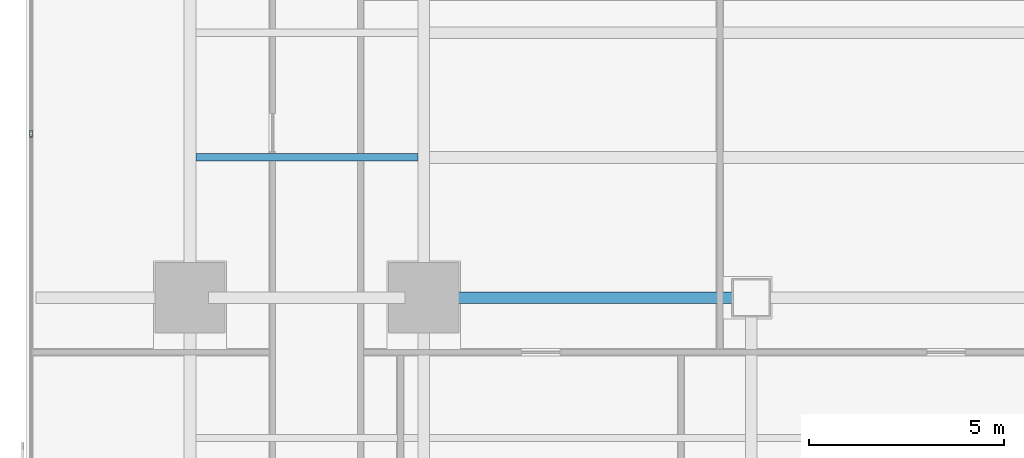
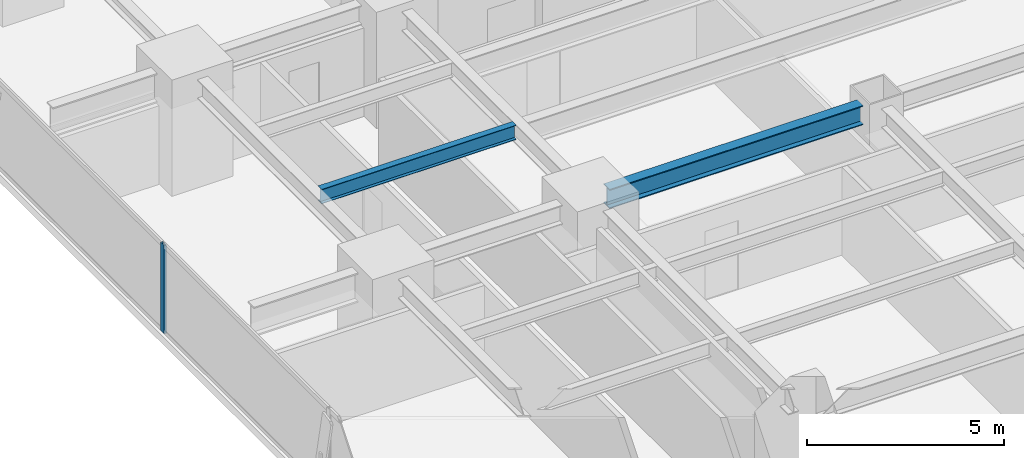
# One storey, part 9 of 32: 2 beams, 1 member, 1 element without a shape of its own.
"""IFC4 building model written with IfcOpenShell, lengths in metres."""

from ifc_helpers import new_model, si_unit, direction, frame, origin, origin_2d, place, context, subcontext, project, spatial, hollow_rectangle, i_section, extrude, source, transform, mapped, material, layer, layer_set, material_profile, profile_set, type_object, element, aggregate, save


model = new_model("IFC4")

# Units and contexts
model_context = context("Model", 3, precision=1e-05, world=origin(), true_north=direction((0.0, 1.0)))
body_context = subcontext(model_context, "Body", "Model", "MODEL_VIEW")
ifc_project = project(units=[si_unit("LENGTHUNIT", "METRE"), si_unit("AREAUNIT", "SQUARE_METRE"), si_unit("VOLUMEUNIT", "CUBIC_METRE"), si_unit("PLANEANGLEUNIT", "RADIAN"), si_unit("MASSUNIT", "GRAM", prefix="KILO")], contexts=[model_context])

# Site, building, storey
site_placement = place(None, origin())
site = spatial("IfcSite", under=ifc_project, at=site_placement, CompositionType="ELEMENT")
building_placement = place(site_placement, origin())
building = spatial("IfcBuilding", under=site, at=building_placement, Name="Sumidabori Civic Tower", CompositionType="ELEMENT")
storey_placement = place(building_placement, frame((0.0, 0.0, 45.199951171875)))
storey = spatial("IfcBuildingStorey", under=building, at=storey_placement, Name="L11", CompositionType="ELEMENT", Elevation=45.199951171875)

# Beams
ifc_material_1 = material(Name="Steel SN490", Category="steel")
ifc_material_profile_1 = material_profile(ifc_material_1, i_section(OverallWidth=0.300048828125, OverallDepth=0.60009765625, WebThickness=0.015380859375, FlangeThickness=0.030029296875, at=origin_2d()), Name="HE 600 B")
ifc_profile_set_1 = profile_set([ifc_material_profile_1], Name="Steel SN490")
beam_type_1 = type_object("IfcBeamType", Name="BM-GIRD-600", PredefinedType="BEAM", material=ifc_profile_set_1)
shared_shape_1 = source(origin(), body_context, "Body", "SweptSolid", [
    extrude(i_section(OverallWidth=0.300048828125, OverallDepth=0.60009765625, WebThickness=0.015380859375, FlangeThickness=0.030029296875, at=origin_2d()), origin(), (0.0, 0.0, 1.0), 7.440185546875),
])
beam_1_placement = place(storey_placement, frame((-16.320068359375, 0.0, 3.06005859375), z_axis=(1.0, 0.0, 0.0), x_axis=(0.0, 1.0, 0.0)))
element("IfcBeam", 1, at=beam_1_placement, inside=storey, type_object=beam_type_1, Name="Primary Girder L11 GX-14", PredefinedType="BEAM", context=body_context, shape_type="MappedRepresentation", body=[
    mapped(shared_shape_1, transform((0.0, 0.0, 0.0), x_axis=(1.0, 0.0, 0.0), y_axis=(0.0, 1.0, 0.0), z_axis=(0.0, 0.0, 1.0), scale=1.0)),
])
ifc_material_profile_2 = material_profile(ifc_material_1, i_section(OverallWidth=0.18994140625, OverallDepth=0.449951171875, WebThickness=0.009521484375, FlangeThickness=0.0146484375, at=origin_2d()), Name="IPE 450")
ifc_profile_set_2 = profile_set([ifc_material_profile_2], Name="Steel SN490")
beam_type_2 = type_object("IfcBeamType", Name="BM-JST-450", PredefinedType="JOIST", material=ifc_profile_set_2)
shared_shape_2 = source(origin(), body_context, "Body", "SweptSolid", [
    extrude(i_section(OverallWidth=0.18994140625, OverallDepth=0.449951171875, WebThickness=0.009521484375, FlangeThickness=0.0146484375, at=origin_2d()), origin(), (0.0, 0.0, 1.0), 5.699951171875),
])
beam_2_placement = place(storey_placement, frame((-22.64990234375, 3.60009765625, 3.135009765625), z_axis=(1.0, 0.0, 0.0), x_axis=(0.0, 1.0, 0.0)))
element("IfcBeam", 2, at=beam_2_placement, inside=storey, type_object=beam_type_2, Name="Outer Bay Floor Joist L11 JSTO-53", PredefinedType="JOIST", context=body_context, shape_type="MappedRepresentation", body=[
    mapped(shared_shape_2, transform((0.0, 0.0, 0.0), x_axis=(1.0, 0.0, 0.0), y_axis=(0.0, 1.0, 0.0), z_axis=(0.0, 0.0, 1.0), scale=1.0)),
])

# Curtain wall, member
ifc_material_2 = material(Name="Anodised Bronze Aluminium AW-6063-T6", Category="aluminium")
ifc_layer = layer(ifc_material_2, 0.179931640625, Name="Anodised Bronze Aluminium AW-6063-T6")
ifc_layer_set = layer_set([ifc_layer], Name="Anodised Bronze Aluminium AW-6063-T6")
curtain_wall_type = type_object("IfcCurtainWallType", Name="CW-SYS-2", PredefinedType="NOTDEFINED", material=ifc_layer_set)
curtain_wall_placement = place(storey_placement, origin())
curtain_wall = element("IfcCurtainWall", 3, at=curtain_wall_placement, inside=storey, type_object=curtain_wall_type, Name="Curtain Wall CW:L11:R10", PredefinedType="NOTDEFINED")
ifc_material_profile_3 = material_profile(ifc_material_2, hollow_rectangle(XDim=0.070068359375, YDim=0.179931640625, WallThickness=0.006103515625, at=origin_2d()), Name="ALU MULLION 180x70")
ifc_profile_set_3 = profile_set([ifc_material_profile_3], Name="Anodised Bronze Aluminium AW-6063-T6")
member_type = type_object("IfcMemberType", Name="CW-MUL-180", PredefinedType="MULLION", material=ifc_profile_set_3)
shared_shape_3 = source(origin(), body_context, "Body", "SweptSolid", [
    extrude(hollow_rectangle(XDim=0.070068359375, YDim=0.179931640625, WallThickness=0.006103515625, at=origin_2d()), origin(), (0.0, 0.0, 1.0), 2.739990234375),
])
member_placement = place(storey_placement, frame((-26.8798828125, 4.214111328125, 0.0), z_axis=(0.0, 0.0, 1.0), x_axis=(1.0, 0.0, 0.0)))
member = element("IfcMember", 4, at=member_placement, type_object=member_type, Name="CW-2 mullion 3", PredefinedType="MULLION", context=body_context, shape_type="MappedRepresentation", body=[
    mapped(shared_shape_3, transform((0.0, 0.0, 0.0), x_axis=(1.0, 0.0, 0.0), y_axis=(0.0, 1.0, 0.0), z_axis=(0.0, 0.0, 1.0), scale=1.0)),
])
aggregate(curtain_wall, [member])

save(model, "model.ifc")
